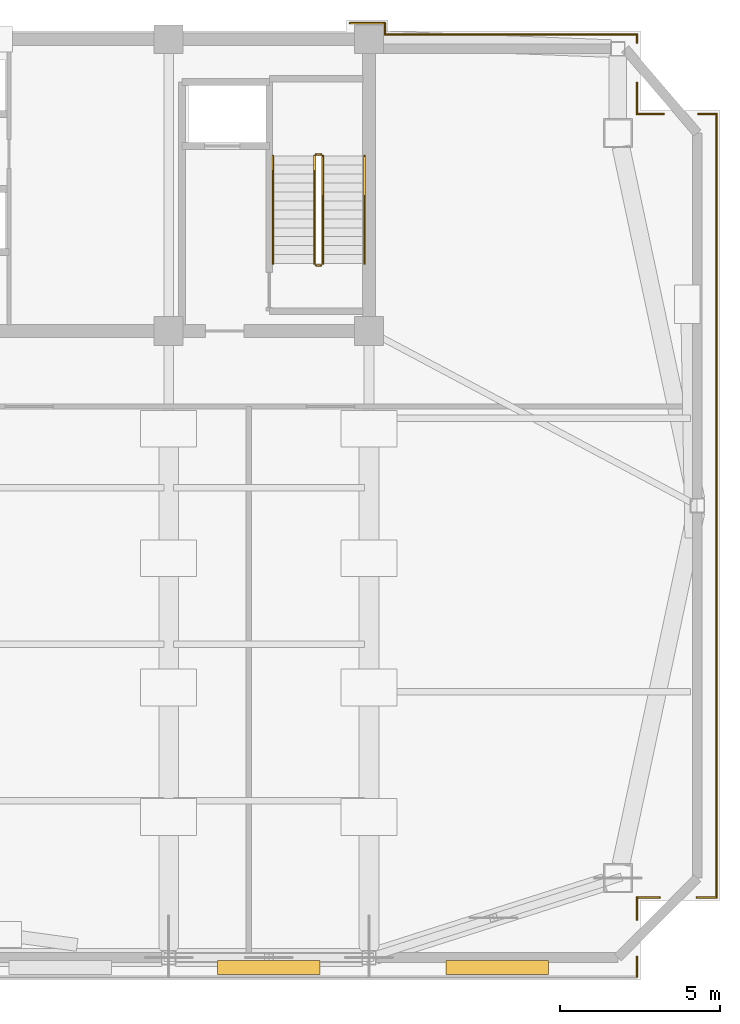
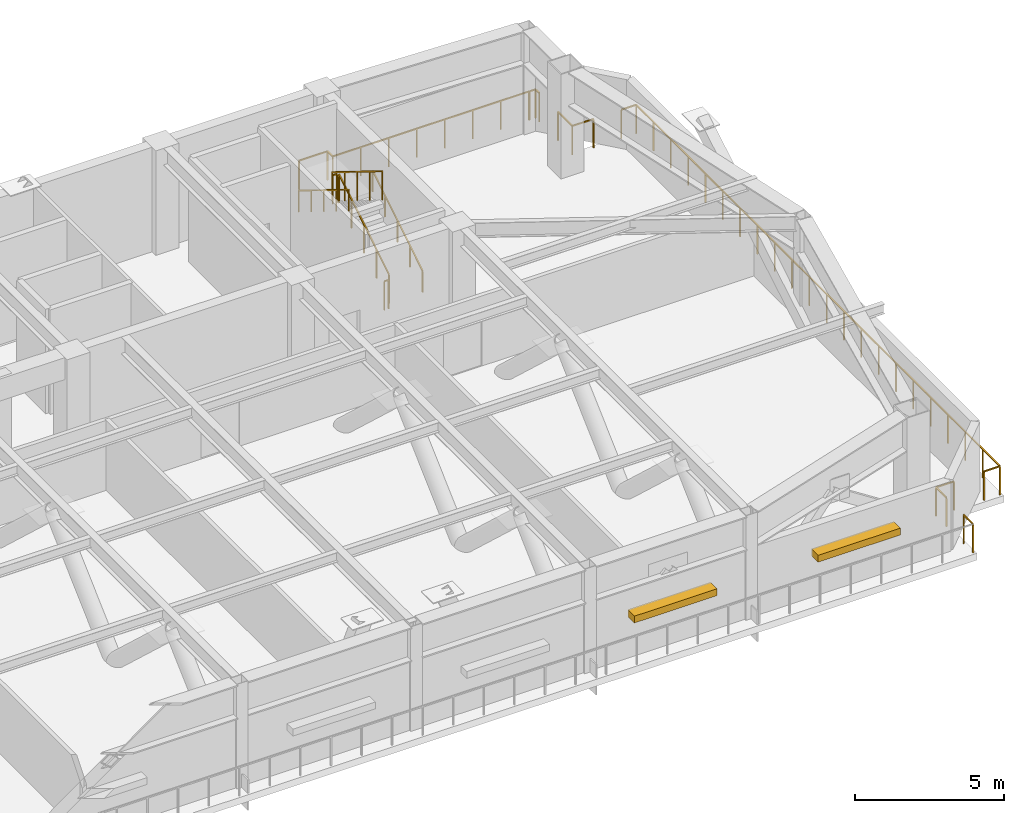
# One storey, part 8 of 8: 19 railings, 2 shading devices.
"""IFC4 building model written with IfcOpenShell, lengths in metres."""

import ifcopenshell
import ifcopenshell.guid

model = None  # the IFC model being written
_history = None  # IfcOwnerHistory: only IFC2X3 demands one
_inside = {}  # id of a spatial element -> (the spatial element, [elements in it])
_under = {}  # id of a project, library or spatial element -> (it, [spatial elements below it])
_declared = {}  # id of a project -> (the project, [libraries it declares])
_typed = {}  # id of a type object -> (the type object, [elements of that type])
_made_of = {}  # id of a material, layer set ... -> (it, [elements and type objects made of it])


def new_model(schema):
    """Start an empty IFC model of exactly this schema.

    Asked for "IFC4X3", IfcOpenShell would pick the latest addendum, in which some entities
    have other attributes; the version numbers below select the first issue.
    IFC2X3 requires an IfcOwnerHistory on every rooted entity: one is made here for all.
    """
    global model, _history
    if schema == "IFC4X3":
        model = ifcopenshell.file(schema_version=(4, 3, 0, 0))
    else:
        model = ifcopenshell.file(schema=schema)
    _inside.clear()
    _under.clear()
    _declared.clear()
    _typed.clear()
    _made_of.clear()
    _history = None
    if model.schema == "IFC2X3":
        org = make("IfcOrganization", Name="unknown")
        user = make(
            "IfcPersonAndOrganization",
            ThePerson=make("IfcPerson", FamilyName="unknown"),
            TheOrganization=org,
        )
        app = make(
            "IfcApplication",
            ApplicationDeveloper=org,
            Version="unknown",
            ApplicationFullName="unknown",
            ApplicationIdentifier="unknown",
        )
        _history = make(
            "IfcOwnerHistory",
            OwningUser=user,
            OwningApplication=app,
            ChangeAction="ADDED",
            CreationDate=0,
        )
    return model


def make(cls, **values):
    """One entity of the class cls with the attributes given. An attribute that is None is left unset."""
    return model.create_entity(
        cls, **{name: value for name, value in values.items() if value is not None}
    )


def rooted(cls, **values):
    """An entity with a GlobalId (a new one), such as an element, a storey or a relation."""
    return make(cls, GlobalId=ifcopenshell.guid.new(), OwnerHistory=_history, **values)


def si_unit(unit_type, name, prefix=None):
    """IfcSIUnit, for example si_unit("LENGTHUNIT", "METRE", prefix="MILLI")."""
    return make("IfcSIUnit", UnitType=unit_type, Prefix=prefix, Name=name)


def assignment(units):
    """IfcUnitAssignment: the units of a project."""
    return None if units is None else make("IfcUnitAssignment", Units=units)


def point(xyz):
    """IfcCartesianPoint."""
    return None if xyz is None else make("IfcCartesianPoint", Coordinates=xyz)


def direction(xyz):
    """IfcDirection."""
    return None if xyz is None else make("IfcDirection", DirectionRatios=xyz)


def frame(location, z_axis=None, x_axis=None):
    """IfcAxis2Placement3D, a coordinate frame: its origin and axes. An axis left out is left unset."""
    return make(
        "IfcAxis2Placement3D",
        Location=point(location),
        Axis=direction(z_axis),
        RefDirection=direction(x_axis),
    )


def frame_2d(location, x_axis=None):
    """IfcAxis2Placement2D, a coordinate frame in the plane: its origin and x axis."""
    return make(
        "IfcAxis2Placement2D", Location=point(location), RefDirection=direction(x_axis)
    )


def origin():
    """The frame at (0, 0, 0) with its axes left unset."""
    return frame((0.0, 0.0, 0.0))


def origin_2d():
    """The frame at (0, 0) in the plane with its x axis left unset."""
    return frame_2d((0.0, 0.0))


def place(relative_to, where):
    """IfcLocalPlacement: puts the frame where relative to a parent placement (None: the world)."""
    return make(
        "IfcLocalPlacement", PlacementRelTo=relative_to, RelativePlacement=where
    )


def context(
    kind, dimensions, precision=None, world=None, true_north=None, identifier=None
):
    """IfcGeometricRepresentationContext, for example the 3D "Model" context."""
    return make(
        "IfcGeometricRepresentationContext",
        ContextIdentifier=identifier,
        ContextType=kind,
        CoordinateSpaceDimension=dimensions,
        Precision=precision,
        WorldCoordinateSystem=world,
        TrueNorth=true_north,
    )


def subcontext(parent, identifier, kind, view, scale=None):
    """IfcGeometricRepresentationSubContext, for example "Body" below "Model"."""
    return make(
        "IfcGeometricRepresentationSubContext",
        ContextIdentifier=identifier,
        ContextType=kind,
        ParentContext=parent,
        TargetScale=scale,
        TargetView=view,
    )


def project(units=None, contexts=None):
    """IfcProject with its units and contexts."""
    return rooted(
        "IfcProject",
        Name="project",
        RepresentationContexts=contexts,
        UnitsInContext=assignment(units),
    )


def spatial(cls, under=None, at=None, **own):
    """A site, building, storey or space (cls), placed at a placement, below another one or the project."""
    s = rooted(cls, ObjectPlacement=at, **own)
    if under is not None:
        _under.setdefault(under.id(), (under, []))[1].append(s)
    return s


def profile(cls, at=None, kind="AREA", **sizes):
    """A parametric profile (cls). Its sizes go by their IFC names, for example OverallWidth=200.0."""
    return make(cls, ProfileType=kind, Position=at, **sizes)


def rectangle(**sizes):
    """IfcRectangleProfileDef."""
    return profile("IfcRectangleProfileDef", **sizes)


def extrude(swept, where, along, depth):
    """IfcExtrudedAreaSolid: the profile swept, set in the frame where, extruded along a direction by depth."""
    return make(
        "IfcExtrudedAreaSolid",
        SweptArea=swept,
        Position=where,
        ExtrudedDirection=direction(along),
        Depth=depth,
    )


def shape(context_of_items, identifier, shape_type, items):
    """IfcShapeRepresentation: the items that make up one representation, for example the "Body"."""
    return make(
        "IfcShapeRepresentation",
        ContextOfItems=context_of_items,
        RepresentationIdentifier=identifier,
        RepresentationType=shape_type,
        Items=items,
    )


def source(mapping_origin, context_of_items, identifier, shape_type, items):
    """IfcRepresentationMap: a shape defined once, which mapped items show again and again."""
    return make(
        "IfcRepresentationMap",
        MappingOrigin=mapping_origin,
        MappedRepresentation=shape(context_of_items, identifier, shape_type, items),
    )


def transform(
    local_origin,
    x_axis=None,
    y_axis=None,
    z_axis=None,
    scale=None,
    scale2=None,
    scale3=None,
    uniform=True,
):
    """IfcCartesianTransformationOperator3D, or its non-uniform kind. x_axis, y_axis, z_axis: its Axis1, 2, 3."""
    if uniform:
        return make(
            "IfcCartesianTransformationOperator3D",
            Axis1=direction(x_axis),
            Axis2=direction(y_axis),
            LocalOrigin=point(local_origin),
            Scale=scale,
            Axis3=direction(z_axis),
        )
    return make(
        "IfcCartesianTransformationOperator3DnonUniform",
        Axis1=direction(x_axis),
        Axis2=direction(y_axis),
        LocalOrigin=point(local_origin),
        Scale=scale,
        Axis3=direction(z_axis),
        Scale2=scale2,
        Scale3=scale3,
    )


def mapped(mapping_source, mapping_target):
    """IfcMappedItem: shows the shape of a source again, moved by a transform."""
    return make(
        "IfcMappedItem", MappingSource=mapping_source, MappingTarget=mapping_target
    )


def material(Name=None, Category=None):
    """IfcMaterial."""
    return make("IfcMaterial", Name=Name, Category=Category)


def made_of(thing, what):
    """Note that an element or type object is made of a material, layer set ...; save() writes the relation."""
    if what is not None:
        _made_of.setdefault(what.id(), (what, []))[1].append(thing)
    return thing


def type_object(cls, material=None, **own):
    """A type object (cls), such as IfcWallType, which elements share."""
    return made_of(rooted(cls, **own), material)


def element(
    cls,
    number,
    at=None,
    inside=None,
    cuts=None,
    type_object=None,
    material=None,
    context=None,
    identifier="Body",
    shape_type=None,
    held_by="IfcProductDefinitionShape",
    body=None,
    shapes=None,
    **own,
):
    """One element of the class cls, such as IfcWall. Its Tag is "e" and its number.

    at: its placement. inside: the storey or other place that contains it. cuts: it is an
    opening in that element (IfcRelVoidsElement). A single representation is given by context,
    identifier, shape_type and body (its items); several are given by shapes. held_by: the class
    of the entity that holds the representations. save() writes the other relations.
    """
    e = rooted(cls, Tag="e%d" % number, ObjectPlacement=at, **own)
    if body is not None:
        shapes = [shape(context, identifier, shape_type, body)]
    if shapes is not None:
        e.Representation = make(held_by, Representations=shapes)
    if inside is not None:
        _inside.setdefault(inside.id(), (inside, []))[1].append(e)
    if cuts is not None:
        rooted(
            "IfcRelVoidsElement", RelatingBuildingElement=cuts, RelatedOpeningElement=e
        )
    if type_object is not None:
        _typed.setdefault(type_object.id(), (type_object, []))[1].append(e)
    return made_of(e, material)


def aggregate(whole, parts):
    """IfcRelAggregates: a whole, such as a stair, and the parts it consists of."""
    return rooted("IfcRelAggregates", RelatingObject=whole, RelatedObjects=parts)


def save(model, path):
    """Write the relations noted so far, then the file.

    IfcRelAggregates (storeys below a building ...), IfcRelContainedInSpatialStructure (elements
    in a storey), IfcRelDefinesByType, IfcRelAssociatesMaterial and IfcRelDeclares: one each for
    every whole, place, type object, material and project.
    """
    for whole, parts in _under.values():
        aggregate(whole, parts)
    for where, things in _inside.values():
        rooted(
            "IfcRelContainedInSpatialStructure",
            RelatedElements=things,
            RelatingStructure=where,
        )
    for kind, things in _typed.values():
        rooted("IfcRelDefinesByType", RelatedObjects=things, RelatingType=kind)
    for what, things in _made_of.values():
        rooted("IfcRelAssociatesMaterial", RelatedObjects=things, RelatingMaterial=what)
    for by, libraries in _declared.values():
        rooted("IfcRelDeclares", RelatingContext=by, RelatedDefinitions=libraries)
    model.write(path)


model = new_model("IFC4")

# Units and contexts
model_context = context("Model", 3, precision=1e-05, world=origin(), true_north=direction((0.0, 1.0)))
body_context = subcontext(model_context, "Body", "Model", "MODEL_VIEW")
ifc_project = project(units=[si_unit("LENGTHUNIT", "METRE"), si_unit("AREAUNIT", "SQUARE_METRE"), si_unit("VOLUMEUNIT", "CUBIC_METRE"), si_unit("PLANEANGLEUNIT", "RADIAN"), si_unit("MASSUNIT", "GRAM", prefix="KILO")], contexts=[model_context])

# Site, building, storey
site_placement = place(None, origin())
site = spatial("IfcSite", under=ifc_project, at=site_placement, CompositionType="ELEMENT")
building_placement = place(site_placement, origin())
building = spatial("IfcBuilding", under=site, at=building_placement, Name="Giltprow Tower", CompositionType="ELEMENT")
storey_placement = place(building_placement, frame((0.0, 0.0, 285.89990234375)))
storey = spatial("IfcBuildingStorey", under=building, at=storey_placement, Name="L73", CompositionType="ELEMENT", Elevation=285.89990234375)

# Railings
ifc_material = material(Name="Anodized bronze", Category="metal")
railing_type_1 = type_object("IfcRailingType", Name="RAIL-BALC-GUARD-1200", PredefinedType="BALUSTRADE", material=ifc_material)
railing_1_placement = place(storey_placement, frame((61.39111328125, 44.221923828125, 0.0)))
element("IfcRailing", 1, at=railing_1_placement, inside=storey, type_object=railing_type_1, Name="L73 Corner Apron Edge Balustrade 1", PredefinedType="BALUSTRADE", context=body_context, shape_type="SweptSolid", body=[
    extrude(rectangle(XDim=0.048095703125, YDim=0.048095703125, at=origin_2d()), frame((0.0, 0.0, 1.17578125), z_axis=(0.0, -1.0, 0.0), x_axis=(1.0, 0.0, 0.0)), (0.0, 0.0, 1.0), 24.43701171875),
    extrude(rectangle(XDim=0.0419921875, YDim=0.0419921875, at=origin_2d()), origin(), (0.0, 0.0, 1.0), 1.15185546875),
    extrude(rectangle(XDim=0.0419921875, YDim=0.0419921875, at=origin_2d()), frame((0.0, -1.16357421875, 0.0)), (0.0, 0.0, 1.0), 1.15185546875),
    extrude(rectangle(XDim=0.0419921875, YDim=0.0419921875, at=origin_2d()), frame((0.0, -2.327392578125, 0.0)), (0.0, 0.0, 1.0), 1.15185546875),
    extrude(rectangle(XDim=0.0419921875, YDim=0.0419921875, at=origin_2d()), frame((0.0, -3.490966796875, 0.0)), (0.0, 0.0, 1.0), 1.15185546875),
    extrude(rectangle(XDim=0.0419921875, YDim=0.0419921875, at=origin_2d()), frame((0.0, -4.65478515625, 0.0)), (0.0, 0.0, 1.0), 1.15185546875),
    extrude(rectangle(XDim=0.0419921875, YDim=0.0419921875, at=origin_2d()), frame((0.0, -5.818359375, 0.0)), (0.0, 0.0, 1.0), 1.15185546875),
    extrude(rectangle(XDim=0.0419921875, YDim=0.0419921875, at=origin_2d()), frame((0.0, -6.98193359375, 0.0)), (0.0, 0.0, 1.0), 1.15185546875),
    extrude(rectangle(XDim=0.0419921875, YDim=0.0419921875, at=origin_2d()), frame((0.0, -8.145751953125, 0.0)), (0.0, 0.0, 1.0), 1.15185546875),
    extrude(rectangle(XDim=0.0419921875, YDim=0.0419921875, at=origin_2d()), frame((0.0, -9.309326171875, 0.0)), (0.0, 0.0, 1.0), 1.15185546875),
    extrude(rectangle(XDim=0.0419921875, YDim=0.0419921875, at=origin_2d()), frame((0.0, -10.472900390625, 0.0)), (0.0, 0.0, 1.0), 1.15185546875),
    extrude(rectangle(XDim=0.0419921875, YDim=0.0419921875, at=origin_2d()), frame((0.0, -11.63671875, 0.0)), (0.0, 0.0, 1.0), 1.15185546875),
    extrude(rectangle(XDim=0.0419921875, YDim=0.0419921875, at=origin_2d()), frame((0.0, -12.80029296875, 0.0)), (0.0, 0.0, 1.0), 1.15185546875),
    extrude(rectangle(XDim=0.0419921875, YDim=0.0419921875, at=origin_2d()), frame((0.0, -13.964111328125, 0.0)), (0.0, 0.0, 1.0), 1.15185546875),
    extrude(rectangle(XDim=0.0419921875, YDim=0.0419921875, at=origin_2d()), frame((0.0, -15.127685546875, 0.0)), (0.0, 0.0, 1.0), 1.15185546875),
    extrude(rectangle(XDim=0.0419921875, YDim=0.0419921875, at=origin_2d()), frame((0.0, -16.291259765625, 0.0)), (0.0, 0.0, 1.0), 1.15185546875),
    extrude(rectangle(XDim=0.0419921875, YDim=0.0419921875, at=origin_2d()), frame((0.0, -17.455078125, 0.0)), (0.0, 0.0, 1.0), 1.15185546875),
    extrude(rectangle(XDim=0.0419921875, YDim=0.0419921875, at=origin_2d()), frame((0.0, -18.61865234375, 0.0)), (0.0, 0.0, 1.0), 1.15185546875),
    extrude(rectangle(XDim=0.0419921875, YDim=0.0419921875, at=origin_2d()), frame((0.0, -19.7822265625, 0.0)), (0.0, 0.0, 1.0), 1.15185546875),
    extrude(rectangle(XDim=0.0419921875, YDim=0.0419921875, at=origin_2d()), frame((0.0, -20.946044921875, 0.0)), (0.0, 0.0, 1.0), 1.15185546875),
    extrude(rectangle(XDim=0.0419921875, YDim=0.0419921875, at=origin_2d()), frame((0.0, -22.109619140625, 0.0)), (0.0, 0.0, 1.0), 1.15185546875),
    extrude(rectangle(XDim=0.0419921875, YDim=0.0419921875, at=origin_2d()), frame((0.0, -23.2734375, 0.0)), (0.0, 0.0, 1.0), 1.15185546875),
    extrude(rectangle(XDim=0.0419921875, YDim=0.0419921875, at=origin_2d()), frame((0.0, -24.43701171875, 0.0)), (0.0, 0.0, 1.0), 1.15185546875),
])
railing_2_placement = place(storey_placement, frame((61.39111328125, 19.784912109375, 0.0)))
element("IfcRailing", 2, at=railing_2_placement, inside=storey, type_object=railing_type_1, Name="L73 Corner Apron Edge Balustrade 2", PredefinedType="BALUSTRADE", context=body_context, shape_type="SweptSolid", body=[
    extrude(rectangle(XDim=0.048095703125, YDim=0.048095703125, at=origin_2d()), frame((0.0, 0.0, 1.17578125), z_axis=(-1.0, 0.0, 0.0), x_axis=(0.0, -1.0, 0.0)), (0.0, 0.0, 1.0), 0.6201171875),
    extrude(rectangle(XDim=0.0419921875, YDim=0.0419921875, at=origin_2d()), origin(), (0.0, 0.0, 1.0), 1.15185546875),
    extrude(rectangle(XDim=0.0419921875, YDim=0.0419921875, at=origin_2d()), frame((-0.6201171875, 0.0, 0.0)), (0.0, 0.0, 1.0), 1.15185546875),
])
railing_3_placement = place(storey_placement, frame((59.611083984375, 19.784912109375, 0.0)))
element("IfcRailing", 3, at=railing_3_placement, inside=storey, type_object=railing_type_1, Name="L73 Corner Apron Edge Balustrade 3", PredefinedType="BALUSTRADE", context=body_context, shape_type="SweptSolid", body=[
    extrude(rectangle(XDim=0.048095703125, YDim=0.048095703125, at=origin_2d()), frame((0.0, 0.0, 1.17578125), z_axis=(-1.0, 0.0, 0.0), x_axis=(0.0, -1.0, 0.0)), (0.0, 0.0, 1.0), 0.697021484375),
    extrude(rectangle(XDim=0.0419921875, YDim=0.0419921875, at=origin_2d()), origin(), (0.0, 0.0, 1.0), 1.15185546875),
    extrude(rectangle(XDim=0.0419921875, YDim=0.0419921875, at=origin_2d()), frame((-0.697021484375, 0.0, 0.0)), (0.0, 0.0, 1.0), 1.15185546875),
])
railing_4_placement = place(storey_placement, frame((58.9140625, 19.784912109375, 0.0)))
element("IfcRailing", 4, at=railing_4_placement, inside=storey, type_object=railing_type_1, Name="L73 Corner Apron Edge Balustrade 4", PredefinedType="BALUSTRADE", context=body_context, shape_type="SweptSolid", body=[
    extrude(rectangle(XDim=0.048095703125, YDim=0.048095703125, at=origin_2d()), frame((0.0, 0.0, 1.17578125), z_axis=(0.0, -1.0, 0.0), x_axis=(1.0, 0.0, 0.0)), (0.0, 0.0, 1.0), 0.697021484375),
    extrude(rectangle(XDim=0.0419921875, YDim=0.0419921875, at=origin_2d()), origin(), (0.0, 0.0, 1.0), 1.15185546875),
    extrude(rectangle(XDim=0.0419921875, YDim=0.0419921875, at=origin_2d()), frame((0.0, -0.697021484375, 0.0)), (0.0, 0.0, 1.0), 1.15185546875),
])
railing_5_placement = place(storey_placement, frame((58.9140625, 17.927978515625, 0.0)))
element("IfcRailing", 5, at=railing_5_placement, inside=storey, type_object=railing_type_1, Name="L73 Corner Apron Edge Balustrade 5", PredefinedType="BALUSTRADE", context=body_context, shape_type="SweptSolid", body=[
    extrude(rectangle(XDim=0.048095703125, YDim=0.048095703125, at=origin_2d()), frame((0.0, 0.0, 1.17578125), z_axis=(0.0, -1.0, 0.0), x_axis=(1.0, 0.0, 0.0)), (0.0, 0.0, 1.0), 0.619873046875),
    extrude(rectangle(XDim=0.0419921875, YDim=0.0419921875, at=origin_2d()), origin(), (0.0, 0.0, 1.0), 1.15185546875),
    extrude(rectangle(XDim=0.0419921875, YDim=0.0419921875, at=origin_2d()), frame((0.0, -0.619873046875, 0.0)), (0.0, 0.0, 1.0), 1.15185546875),
])
railing_6_placement = place(storey_placement, frame((49.949951171875, 47.050048828125, 0.0)))
element("IfcRailing", 6, at=railing_6_placement, inside=storey, type_object=railing_type_1, Name="L73 Corner Apron Edge Balustrade 20", PredefinedType="BALUSTRADE", context=body_context, shape_type="SweptSolid", body=[
    extrude(rectangle(XDim=0.048095703125, YDim=0.048095703125, at=origin_2d()), frame((0.0, 0.0, 1.17578125), z_axis=(1.0, 0.0, 0.0), x_axis=(0.0, 1.0, 0.0)), (0.0, 0.0, 1.0), 1.10009765625),
    extrude(rectangle(XDim=0.0419921875, YDim=0.0419921875, at=origin_2d()), origin(), (0.0, 0.0, 1.0), 1.15185546875),
    extrude(rectangle(XDim=0.0419921875, YDim=0.0419921875, at=origin_2d()), frame((1.10009765625, 0.0, 0.0)), (0.0, 0.0, 1.0), 1.15185546875),
])
railing_7_placement = place(storey_placement, frame((51.050048828125, 47.050048828125, 0.0)))
element("IfcRailing", 7, at=railing_7_placement, inside=storey, type_object=railing_type_1, Name="L73 Corner Apron Edge Balustrade 21", PredefinedType="BALUSTRADE", context=body_context, shape_type="SweptSolid", body=[
    extrude(rectangle(XDim=0.048095703125, YDim=0.048095703125, at=origin_2d()), frame((0.0, 0.0, 1.17578125), z_axis=(0.0, -1.0, 0.0), x_axis=(1.0, 0.0, 0.0)), (0.0, 0.0, 1.0), 0.35107421875),
    extrude(rectangle(XDim=0.0419921875, YDim=0.0419921875, at=origin_2d()), origin(), (0.0, 0.0, 1.0), 1.15185546875),
    extrude(rectangle(XDim=0.0419921875, YDim=0.0419921875, at=origin_2d()), frame((0.0, -0.35107421875, 0.0)), (0.0, 0.0, 1.0), 1.15185546875),
])
railing_8_placement = place(storey_placement, frame((51.050048828125, 46.698974609375, 0.0)))
element("IfcRailing", 8, at=railing_8_placement, inside=storey, type_object=railing_type_1, Name="L73 Corner Apron Edge Balustrade 22", PredefinedType="BALUSTRADE", context=body_context, shape_type="SweptSolid", body=[
    extrude(rectangle(XDim=0.048095703125, YDim=0.048095703125, at=origin_2d()), frame((0.0, 0.0, 1.17578125), z_axis=(1.0, 0.0, 0.0), x_axis=(0.0, 1.0, 0.0)), (0.0, 0.0, 1.0), 7.613037109375),
    extrude(rectangle(XDim=0.0419921875, YDim=0.0419921875, at=origin_2d()), origin(), (0.0, 0.0, 1.0), 1.15185546875),
    extrude(rectangle(XDim=0.0419921875, YDim=0.0419921875, at=origin_2d()), frame((1.087646484375, 0.0, 0.0)), (0.0, 0.0, 1.0), 1.15185546875),
    extrude(rectangle(XDim=0.0419921875, YDim=0.0419921875, at=origin_2d()), frame((2.175048828125, 0.0, 0.0)), (0.0, 0.0, 1.0), 1.15185546875),
    extrude(rectangle(XDim=0.0419921875, YDim=0.0419921875, at=origin_2d()), frame((3.2626953125, 0.0, 0.0)), (0.0, 0.0, 1.0), 1.15185546875),
    extrude(rectangle(XDim=0.0419921875, YDim=0.0419921875, at=origin_2d()), frame((4.350341796875, 0.0, 0.0)), (0.0, 0.0, 1.0), 1.15185546875),
    extrude(rectangle(XDim=0.0419921875, YDim=0.0419921875, at=origin_2d()), frame((5.43798828125, 0.0, 0.0)), (0.0, 0.0, 1.0), 1.15185546875),
    extrude(rectangle(XDim=0.0419921875, YDim=0.0419921875, at=origin_2d()), frame((6.525390625, 0.0, 0.0)), (0.0, 0.0, 1.0), 1.15185546875),
    extrude(rectangle(XDim=0.0419921875, YDim=0.0419921875, at=origin_2d()), frame((7.613037109375, 0.0, 0.0)), (0.0, 0.0, 1.0), 1.15185546875),
])
railing_9_placement = place(storey_placement, frame((58.694091796875, 46.698974609375, 0.0)))
element("IfcRailing", 9, at=railing_9_placement, inside=storey, type_object=railing_type_1, Name="L73 Corner Apron Edge Balustrade 23", PredefinedType="BALUSTRADE", context=body_context, shape_type="SweptSolid", body=[
    extrude(rectangle(XDim=0.048095703125, YDim=0.048095703125, at=origin_2d()), frame((0.0, 0.0, 1.17578125), z_axis=(1.0, 0.0, 0.0), x_axis=(0.0, 1.0, 0.0)), (0.0, 0.0, 1.0), 0.219970703125),
    extrude(rectangle(XDim=0.0419921875, YDim=0.0419921875, at=origin_2d()), origin(), (0.0, 0.0, 1.0), 1.15185546875),
    extrude(rectangle(XDim=0.0419921875, YDim=0.0419921875, at=origin_2d()), frame((0.219970703125, 0.0, 0.0)), (0.0, 0.0, 1.0), 1.15185546875),
])
railing_10_placement = place(storey_placement, frame((58.9140625, 46.698974609375, 0.0)))
element("IfcRailing", 10, at=railing_10_placement, inside=storey, type_object=railing_type_1, Name="L73 Corner Apron Edge Balustrade 24", PredefinedType="BALUSTRADE", context=body_context, shape_type="SweptSolid", body=[
    extrude(rectangle(XDim=0.048095703125, YDim=0.048095703125, at=origin_2d()), frame((0.0, 0.0, 1.17578125), z_axis=(0.0, -1.0, 0.0), x_axis=(1.0, 0.0, 0.0)), (0.0, 0.0, 1.0), 0.257080078125),
    extrude(rectangle(XDim=0.0419921875, YDim=0.0419921875, at=origin_2d()), origin(), (0.0, 0.0, 1.0), 1.15185546875),
    extrude(rectangle(XDim=0.0419921875, YDim=0.0419921875, at=origin_2d()), frame((0.0, -0.257080078125, 0.0)), (0.0, 0.0, 1.0), 1.15185546875),
])
railing_11_placement = place(storey_placement, frame((58.9140625, 45.181884765625, 0.0)))
element("IfcRailing", 11, at=railing_11_placement, inside=storey, type_object=railing_type_1, Name="L73 Corner Apron Edge Balustrade 25", PredefinedType="BALUSTRADE", context=body_context, shape_type="SweptSolid", body=[
    extrude(rectangle(XDim=0.048095703125, YDim=0.048095703125, at=origin_2d()), frame((0.0, 0.0, 1.17578125), z_axis=(0.0, -1.0, 0.0), x_axis=(1.0, 0.0, 0.0)), (0.0, 0.0, 1.0), 0.9599609375),
    extrude(rectangle(XDim=0.0419921875, YDim=0.0419921875, at=origin_2d()), origin(), (0.0, 0.0, 1.0), 1.15185546875),
    extrude(rectangle(XDim=0.0419921875, YDim=0.0419921875, at=origin_2d()), frame((0.0, -0.9599609375, 0.0)), (0.0, 0.0, 1.0), 1.15185546875),
])
railing_12_placement = place(storey_placement, frame((58.9140625, 44.221923828125, 0.0)))
element("IfcRailing", 12, at=railing_12_placement, inside=storey, type_object=railing_type_1, Name="L73 Corner Apron Edge Balustrade 26", PredefinedType="BALUSTRADE", context=body_context, shape_type="SweptSolid", body=[
    extrude(rectangle(XDim=0.048095703125, YDim=0.048095703125, at=origin_2d()), frame((0.0, 0.0, 1.17578125), z_axis=(1.0, 0.0, 0.0), x_axis=(0.0, 1.0, 0.0)), (0.0, 0.0, 1.0), 0.822998046875),
    extrude(rectangle(XDim=0.0419921875, YDim=0.0419921875, at=origin_2d()), origin(), (0.0, 0.0, 1.0), 1.15185546875),
    extrude(rectangle(XDim=0.0419921875, YDim=0.0419921875, at=origin_2d()), frame((0.822998046875, 0.0, 0.0)), (0.0, 0.0, 1.0), 1.15185546875),
])
railing_13_placement = place(storey_placement, frame((60.81689453125, 44.221923828125, 0.0)))
element("IfcRailing", 13, at=railing_13_placement, inside=storey, type_object=railing_type_1, Name="L73 Corner Apron Edge Balustrade 27", PredefinedType="BALUSTRADE", context=body_context, shape_type="SweptSolid", body=[
    extrude(rectangle(XDim=0.048095703125, YDim=0.048095703125, at=origin_2d()), frame((0.0, 0.0, 1.17578125), z_axis=(1.0, 0.0, 0.0), x_axis=(0.0, 1.0, 0.0)), (0.0, 0.0, 1.0), 0.57421875),
    extrude(rectangle(XDim=0.0419921875, YDim=0.0419921875, at=origin_2d()), origin(), (0.0, 0.0, 1.0), 1.15185546875),
    extrude(rectangle(XDim=0.0419921875, YDim=0.0419921875, at=origin_2d()), frame((0.57421875, 0.0, 0.0)), (0.0, 0.0, 1.0), 1.15185546875),
])
railing_type_2 = type_object("IfcRailingType", Name="RAIL-STAIR-GUARD-1200", PredefinedType="GUARDRAIL", material=ifc_material)
railing_14_placement = place(storey_placement, frame((49.110107421875, 39.550048828125, 0.173095703125)))
element("IfcRailing", 14, at=railing_14_placement, inside=storey, type_object=railing_type_2, Name="L73 ST-3 stair guard 1", PredefinedType="GUARDRAIL", context=body_context, shape_type="SweptSolid", body=[
    extrude(rectangle(XDim=0.048095703125, YDim=0.048095703125, at=origin_2d()), frame((0.0, 0.0, 1.17578125), z_axis=(0.0, 0.850606129759, 0.525803396734), x_axis=(-1.0, 0.0, 0.0)), (0.0, 0.0, 1.0), 3.949951171875),
    extrude(rectangle(XDim=0.0419921875, YDim=0.0419921875, at=origin_2d()), origin(), (0.0, 0.0, 1.0), 1.15185546875),
    extrude(rectangle(XDim=0.0419921875, YDim=0.0419921875, at=origin_2d()), frame((0.0, 0.83984375, 0.519287109375)), (0.0, 0.0, 1.0), 1.15185546875),
    extrude(rectangle(XDim=0.0419921875, YDim=0.0419921875, at=origin_2d()), frame((0.0, 1.679931640625, 1.03857421875)), (0.0, 0.0, 1.0), 1.15185546875),
    extrude(rectangle(XDim=0.0419921875, YDim=0.0419921875, at=origin_2d()), frame((0.0, 2.52001953125, 1.5576171875)), (0.0, 0.0, 1.0), 1.15185546875),
    extrude(rectangle(XDim=0.0419921875, YDim=0.0419921875, at=origin_2d()), frame((0.0, 3.35986328125, 2.076904296875)), (0.0, 0.0, 1.0), 1.15185546875),
])
railing_15_placement = place(storey_placement, frame((49.06005859375, 42.9599609375, 2.25)))
element("IfcRailing", 15, at=railing_15_placement, inside=storey, type_object=railing_type_2, Name="L73 ST-3 stair guard 2", PredefinedType="GUARDRAIL", context=body_context, shape_type="SweptSolid", body=[
    extrude(rectangle(XDim=0.048095703125, YDim=0.048095703125, at=origin_2d()), frame((0.0, 0.0, 1.17578125), z_axis=(-1.0, 0.0, 0.0), x_axis=(0.0, -1.0, 0.0)), (0.0, 0.0, 1.0), 0.16015625),
    extrude(rectangle(XDim=0.0419921875, YDim=0.0419921875, at=origin_2d()), origin(), (0.0, 0.0, 1.0), 1.15185546875),
    extrude(rectangle(XDim=0.0419921875, YDim=0.0419921875, at=origin_2d()), frame((-0.16015625, 0.0, 0.0)), (0.0, 0.0, 1.0), 1.15185546875),
])
railing_16_placement = place(storey_placement, frame((48.85009765625, 42.909912109375, 2.423095703125)))
element("IfcRailing", 16, at=railing_16_placement, inside=storey, type_object=railing_type_2, Name="L73 ST-3 stair guard 3", PredefinedType="GUARDRAIL", context=body_context, shape_type="SweptSolid", body=[
    extrude(rectangle(XDim=0.048095703125, YDim=0.048095703125, at=origin_2d()), frame((0.0, 0.0, 1.17578125), z_axis=(0.0, -0.850606129759, 0.525803396734), x_axis=(1.0, 0.0, 0.0)), (0.0, 0.0, 1.0), 3.949951171875),
    extrude(rectangle(XDim=0.0419921875, YDim=0.0419921875, at=origin_2d()), origin(), (0.0, 0.0, 1.0), 1.15185546875),
    extrude(rectangle(XDim=0.0419921875, YDim=0.0419921875, at=origin_2d()), frame((0.0, -0.83984375, 0.519287109375)), (0.0, 0.0, 1.0), 1.15185546875),
    extrude(rectangle(XDim=0.0419921875, YDim=0.0419921875, at=origin_2d()), frame((0.0, -1.679931640625, 1.03857421875)), (0.0, 0.0, 1.0), 1.15185546875),
    extrude(rectangle(XDim=0.0419921875, YDim=0.0419921875, at=origin_2d()), frame((0.0, -2.52001953125, 1.5576171875)), (0.0, 0.0, 1.0), 1.15185546875),
    extrude(rectangle(XDim=0.0419921875, YDim=0.0419921875, at=origin_2d()), frame((0.0, -3.35986328125, 2.076904296875)), (0.0, 0.0, 1.0), 1.15185546875),
])
railing_17_placement = place(storey_placement, frame((49.06005859375, 39.5, 0.0)))
element("IfcRailing", 17, at=railing_17_placement, inside=storey, type_object=railing_type_2, Name="L73 ST-3 stair guard 4", PredefinedType="GUARDRAIL", context=body_context, shape_type="SweptSolid", body=[
    extrude(rectangle(XDim=0.048095703125, YDim=0.048095703125, at=origin_2d()), frame((0.0, 0.0, 1.17578125), z_axis=(-1.0, 0.0, 0.0), x_axis=(0.0, -1.0, 0.0)), (0.0, 0.0, 1.0), 0.16015625),
    extrude(rectangle(XDim=0.0419921875, YDim=0.0419921875, at=origin_2d()), origin(), (0.0, 0.0, 1.0), 1.15185546875),
    extrude(rectangle(XDim=0.0419921875, YDim=0.0419921875, at=origin_2d()), frame((-0.16015625, 0.0, 0.0)), (0.0, 0.0, 1.0), 1.15185546875),
])
railing_type_3 = type_object("IfcRailingType", Name="RAIL-STAIR-HAND-900", PredefinedType="HANDRAIL", material=ifc_material)
railing_18_placement = place(storey_placement, frame((50.409912109375, 39.550048828125, 0.173095703125)))
element("IfcRailing", 18, at=railing_18_placement, inside=storey, type_object=railing_type_3, Name="L73 ST-3 stair handrail 1", PredefinedType="HANDRAIL", context=body_context, shape_type="SweptSolid", body=[
    extrude(rectangle(XDim=0.048095703125, YDim=0.048095703125, at=origin_2d()), frame((0.0, 0.0, 0.8759765625), z_axis=(0.0, 0.850606129759, 0.525803396734), x_axis=(-1.0, 0.0, 0.0)), (0.0, 0.0, 1.0), 3.949951171875),
    extrude(rectangle(XDim=0.0419921875, YDim=0.0419921875, at=origin_2d()), origin(), (0.0, 0.0, 1.0), 0.851806640625),
    extrude(rectangle(XDim=0.0419921875, YDim=0.0419921875, at=origin_2d()), frame((0.0, 0.83984375, 0.519287109375)), (0.0, 0.0, 1.0), 0.851806640625),
    extrude(rectangle(XDim=0.0419921875, YDim=0.0419921875, at=origin_2d()), frame((0.0, 1.679931640625, 1.03857421875)), (0.0, 0.0, 1.0), 0.851806640625),
    extrude(rectangle(XDim=0.0419921875, YDim=0.0419921875, at=origin_2d()), frame((0.0, 2.52001953125, 1.5576171875)), (0.0, 0.0, 1.0), 0.851806640625),
    extrude(rectangle(XDim=0.0419921875, YDim=0.0419921875, at=origin_2d()), frame((0.0, 3.35986328125, 2.076904296875)), (0.0, 0.0, 1.0), 0.851806640625),
])
railing_19_placement = place(storey_placement, frame((47.550048828125, 42.909912109375, 2.423095703125)))
element("IfcRailing", 19, at=railing_19_placement, inside=storey, type_object=railing_type_3, Name="L73 ST-3 stair handrail 2", PredefinedType="HANDRAIL", context=body_context, shape_type="SweptSolid", body=[
    extrude(rectangle(XDim=0.048095703125, YDim=0.048095703125, at=origin_2d()), frame((0.0, 0.0, 0.8759765625), z_axis=(0.0, -0.850606129759, 0.525803396734), x_axis=(1.0, 0.0, 0.0)), (0.0, 0.0, 1.0), 3.949951171875),
    extrude(rectangle(XDim=0.0419921875, YDim=0.0419921875, at=origin_2d()), origin(), (0.0, 0.0, 1.0), 0.851806640625),
    extrude(rectangle(XDim=0.0419921875, YDim=0.0419921875, at=origin_2d()), frame((0.0, -0.83984375, 0.519287109375)), (0.0, 0.0, 1.0), 0.851806640625),
    extrude(rectangle(XDim=0.0419921875, YDim=0.0419921875, at=origin_2d()), frame((0.0, -1.679931640625, 1.03857421875)), (0.0, 0.0, 1.0), 0.851806640625),
    extrude(rectangle(XDim=0.0419921875, YDim=0.0419921875, at=origin_2d()), frame((0.0, -2.52001953125, 1.5576171875)), (0.0, 0.0, 1.0), 0.851806640625),
    extrude(rectangle(XDim=0.0419921875, YDim=0.0419921875, at=origin_2d()), frame((0.0, -3.35986328125, 2.076904296875)), (0.0, 0.0, 1.0), 0.851806640625),
])

# Shading devices
shading_device_type = type_object("IfcShadingDeviceType", Name="SHD-LOUVRE-320", PredefinedType="JALOUSIE", material=ifc_material)
shared_shape = source(origin(), body_context, "Body", "SweptSolid", [
    extrude(rectangle(XDim=3.199951171875, YDim=0.449951171875, at=origin_2d()), origin(), (0.0, 0.0, 1.0), 0.280029296875),
])
for number, where, z_axis, x_axis, name in (
    (20, (47.425048828125, 17.597900390625, 1.66015625), (0.0, 0.0, 1.0), (1.0, 0.0, 0.0), "L73 Refuge Intake Louvre S-5"),
    (21, (54.5439453125, 17.597900390625, 1.66015625), (0.0, 0.0, 1.0), (1.0, 0.0, 0.0), "L73 Refuge Intake Louvre S-6"),
):
    element("IfcShadingDevice", number, at=place(storey_placement, frame(where, z_axis=z_axis, x_axis=x_axis)), inside=storey, type_object=shading_device_type, Name=name, PredefinedType="JALOUSIE", context=body_context, shape_type="MappedRepresentation", body=[
        mapped(shared_shape, transform((0.0, 0.0, 0.0), x_axis=(1.0, 0.0, 0.0), y_axis=(0.0, 1.0, 0.0), z_axis=(0.0, 0.0, 1.0), scale=1.0)),
    ])

save(model, "model.ifc")
